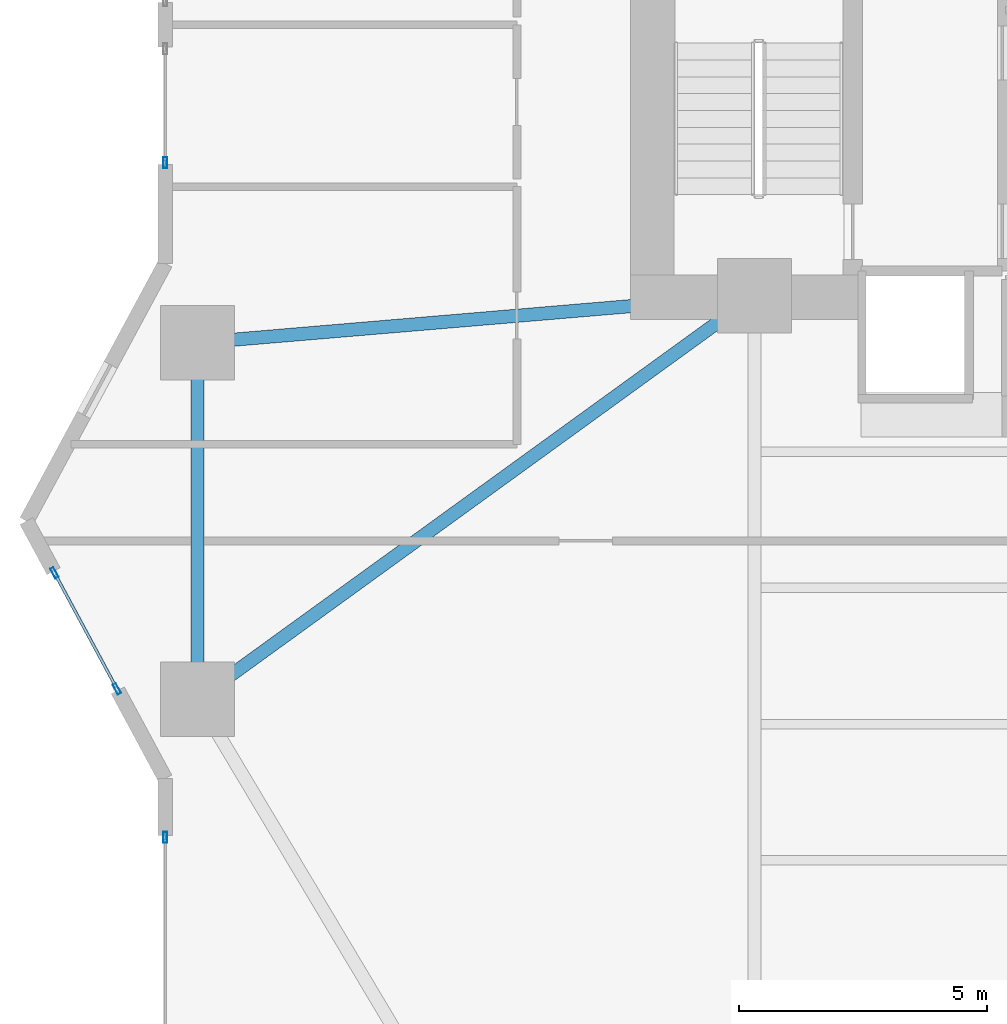
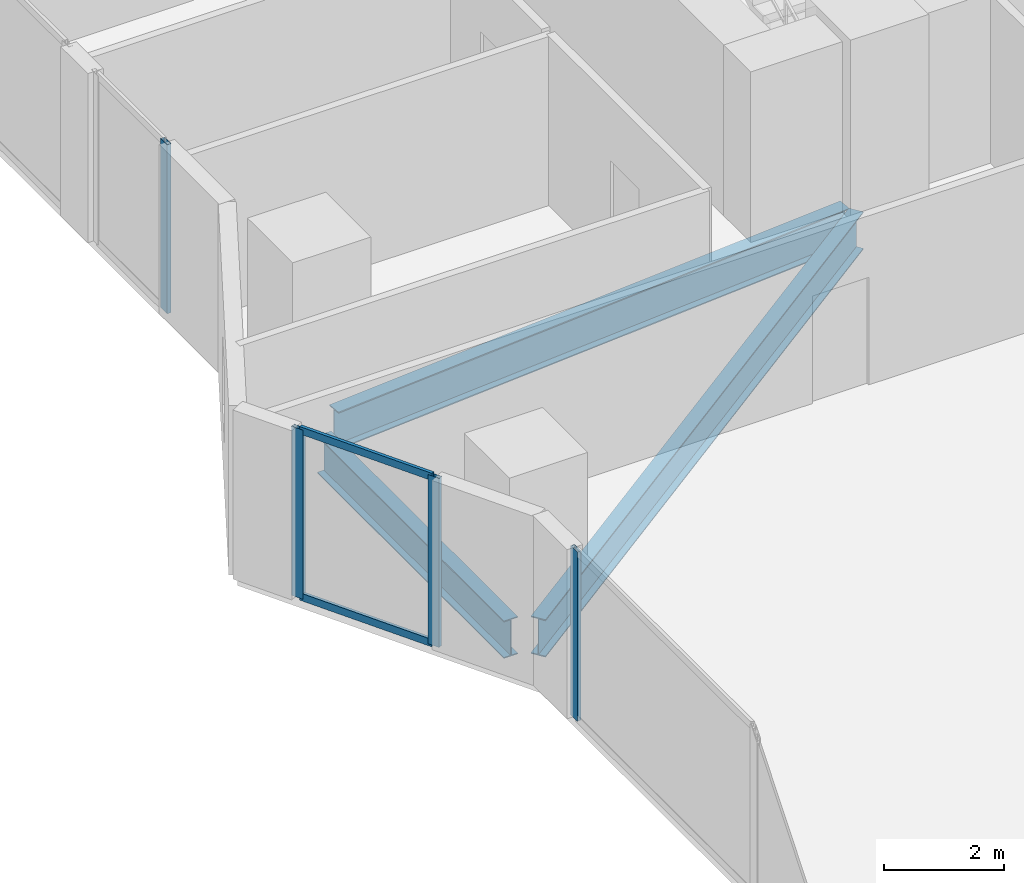
# One storey, part 6 of 30: 6 members, 3 beams, 3 elements without a shape of their own.
"""IFC4 building model written with IfcOpenShell, lengths in metres."""

from ifc_helpers import new_model, si_unit, direction, frame, origin, origin_2d, place, context, subcontext, project, spatial, hollow_rectangle, i_section, extrude, material, layer, layer_set, material_profile, profile_set, type_object, element, aggregate, save


model = new_model("IFC4")

# Units and contexts
model_context = context("Model", 3, precision=1e-05, world=origin(), true_north=direction((0.0, 1.0)))
body_context = subcontext(model_context, "Body", "Model", "MODEL_VIEW")
ifc_project = project(units=[si_unit("LENGTHUNIT", "METRE"), si_unit("AREAUNIT", "SQUARE_METRE"), si_unit("VOLUMEUNIT", "CUBIC_METRE"), si_unit("PLANEANGLEUNIT", "RADIAN"), si_unit("MASSUNIT", "GRAM", prefix="KILO")], contexts=[model_context])

# Site, building, storey
site_placement = place(None, origin())
site = spatial("IfcSite", under=ifc_project, at=site_placement, CompositionType="ELEMENT")
building_placement = place(site_placement, origin())
building = spatial("IfcBuilding", under=site, at=building_placement, Name="Zuhayl Quay Hotel", CompositionType="ELEMENT")
storey_placement = place(building_placement, frame((0.0, 0.0, 82.35009765625)))
storey = spatial("IfcBuildingStorey", under=building, at=storey_placement, Name="L20", CompositionType="ELEMENT", Elevation=82.35009765625)

# Beams
ifc_material_1 = material(Name="Steel ASTM A992 Grade 50", Category="steel")
ifc_material_profile_1 = material_profile(ifc_material_1, i_section(OverallWidth=0.26708984375, OverallDepth=0.761962890625, WebThickness=0.014404296875, FlangeThickness=0.021484375, at=origin_2d()), Name="W30X116")
ifc_profile_set_1 = profile_set([ifc_material_profile_1], Name="Steel ASTM A992 Grade 50")
beam_type = type_object("IfcBeamType", Name="BM_B1_W30X116", PredefinedType="BEAM", material=ifc_profile_set_1)
beam_1_placement = place(storey_placement, frame((-25.050048828125, 3.10009765625, -0.60107421875), z_axis=(0.0, -1.0, 0.0), x_axis=(1.0, 0.0, 0.0)))
element("IfcBeam", 1, at=beam_1_placement, inside=storey, type_object=beam_type, Name="L20 Floor Beam RG_L20_11", PredefinedType="BEAM", context=body_context, shape_type="SweptSolid", body=[
    extrude(i_section(OverallWidth=0.26708984375, OverallDepth=0.761962890625, WebThickness=0.014404296875, FlangeThickness=0.021484375, at=origin_2d()), origin(), (0.0, 0.0, 1.0), 6.2001953125),
])
beam_2_placement = place(storey_placement, frame((-24.64501953125, -3.306640625, -0.60107421875), z_axis=(0.809830244688, 0.586664277751, 0.0), x_axis=(-0.586664277751, 0.809830244688, 0.0)))
element("IfcBeam", 2, at=beam_2_placement, inside=storey, type_object=beam_type, Name="L20 Floor Beam FG_W_L20_1", PredefinedType="BEAM", context=body_context, shape_type="SweptSolid", body=[
    extrude(i_section(OverallWidth=0.26708984375, OverallDepth=0.761962890625, WebThickness=0.014404296875, FlangeThickness=0.021484375, at=origin_2d()), origin(), (0.0, 0.0, 1.0), 12.94189453125),
])
beam_3_placement = place(storey_placement, frame((-24.5517578125, 3.64208984375, -0.60107421875), z_axis=(0.996453145398, 0.084149444594, 0.0), x_axis=(-0.084149444594, 0.996453145398, 0.0)))
element("IfcBeam", 3, at=beam_3_placement, inside=storey, type_object=beam_type, Name="L20 Floor Beam FG_W_L20_2", PredefinedType="BEAM", context=body_context, shape_type="SweptSolid", body=[
    extrude(i_section(OverallWidth=0.26708984375, OverallDepth=0.761962890625, WebThickness=0.014404296875, FlangeThickness=0.021484375, at=origin_2d()), origin(), (0.0, 0.0, 1.0), 10.340087890625),
])

# Curtain wall, member
ifc_material_2 = material(Name="Anodised Aluminium 6063-T6", Category="aluminium")
ifc_layer = layer(ifc_material_2, 0.18994140625, Name="Anodised Aluminium 6063-T6", Category="aluminium")
ifc_layer_set = layer_set([ifc_layer], Name="Anodised Aluminium 6063-T6")
curtain_wall_type = type_object("IfcCurtainWallType", Name="CW_SYS_Z1", PredefinedType="USERDEFINED", material=ifc_layer_set)
curtain_wall_1_placement = place(storey_placement, origin())
curtain_wall_1 = element("IfcCurtainWall", 4, at=curtain_wall_1_placement, inside=storey, type_object=curtain_wall_type, Name="L20 Curtain Wall ENV_L20_E02_CW1", ObjectType="UNITISED CURTAIN WALL", PredefinedType="USERDEFINED")
ifc_material_3 = material(Name="Black-anodised aluminium 6063-T6", Category="aluminium")
ifc_material_profile_2 = material_profile(ifc_material_3, hollow_rectangle(XDim=0.074951171875, YDim=0.219970703125, WallThickness=0.00390625, at=origin_2d()), Name="ALU220X75")
ifc_profile_set_2 = profile_set([ifc_material_profile_2], Name="Black-anodised aluminium 6063-T6")
member_type_1 = type_object("IfcMemberType", Name="MB_CW_MUL_220", PredefinedType="MULLION", material=ifc_profile_set_2)
member_1_placement = place(storey_placement, frame((-25.699951171875, -6.387451171875, 0.0), z_axis=(0.0, 0.0, 1.0), x_axis=(-1.0, 0.0, 0.0)))
member_1 = element("IfcMember", 5, at=member_1_placement, type_object=member_type_1, Name="CW-Z1 mullion 3", PredefinedType="MULLION", context=body_context, shape_type="SweptSolid", body=[
    extrude(hollow_rectangle(XDim=0.074951171875, YDim=0.219970703125, WallThickness=0.00390625, at=origin_2d()), origin(), (0.0, 0.0, 1.0), 3.429931640625),
])
aggregate(curtain_wall_1, [member_1])

# Curtain wall, members
curtain_wall_2_placement = place(storey_placement, origin())
curtain_wall_2 = element("IfcCurtainWall", 6, at=curtain_wall_2_placement, inside=storey, type_object=curtain_wall_type, Name="L20 Curtain Wall ENV_L20_E03_CW1", ObjectType="UNITISED CURTAIN WALL", PredefinedType="USERDEFINED")
member_2_placement = place(storey_placement, frame((-26.67578125, -3.387939453125, 0.0), z_axis=(0.0, 0.0, 1.0), x_axis=(-0.880475795468, -0.474091102632, 0.0)))
member_2 = element("IfcMember", 7, at=member_2_placement, type_object=member_type_1, Name="CW-Z1 mullion 1", PredefinedType="MULLION", context=body_context, shape_type="SweptSolid", body=[
    extrude(hollow_rectangle(XDim=0.074951171875, YDim=0.219970703125, WallThickness=0.00390625, at=origin_2d()), origin(), (0.0, 0.0, 1.0), 3.429931640625),
])
member_3_placement = place(storey_placement, frame((-27.93701171875, -1.04541015625, 0.0), z_axis=(0.0, 0.0, 1.0), x_axis=(-0.880475795468, -0.474091102632, 0.0)))
member_3 = element("IfcMember", 8, at=member_3_placement, type_object=member_type_1, Name="CW-Z1 mullion 2", PredefinedType="MULLION", context=body_context, shape_type="SweptSolid", body=[
    extrude(hollow_rectangle(XDim=0.074951171875, YDim=0.219970703125, WallThickness=0.00390625, at=origin_2d()), origin(), (0.0, 0.0, 1.0), 3.429931640625),
])

# Curtain wall, member
curtain_wall_3_placement = place(storey_placement, origin())
curtain_wall_3 = element("IfcCurtainWall", 9, at=curtain_wall_3_placement, inside=storey, type_object=curtain_wall_type, Name="L20 Curtain Wall ENV_L20_E05_CW1", ObjectType="UNITISED CURTAIN WALL", PredefinedType="USERDEFINED")
member_4_placement = place(storey_placement, frame((-25.699951171875, 7.237548828125, 0.0), z_axis=(0.0, 0.0, 1.0), x_axis=(-1.0, 0.0, 0.0)))
member_4 = element("IfcMember", 10, at=member_4_placement, type_object=member_type_1, Name="CW-Z1 mullion 1", PredefinedType="MULLION", context=body_context, shape_type="SweptSolid", body=[
    extrude(hollow_rectangle(XDim=0.074951171875, YDim=0.219970703125, WallThickness=0.00390625, at=origin_2d()), origin(), (0.0, 0.0, 1.0), 3.429931640625),
])
aggregate(curtain_wall_3, [member_4])

# Member
ifc_material_profile_3 = material_profile(ifc_material_3, hollow_rectangle(XDim=0.06005859375, YDim=0.14990234375, WallThickness=0.00341796875, at=origin_2d()), Name="ALU150X60")
ifc_profile_set_3 = profile_set([ifc_material_profile_3], Name="Black-anodised aluminium 6063-T6")
member_type_2 = type_object("IfcMemberType", Name="MB_CW_TRN_150", PredefinedType="USERDEFINED", material=ifc_profile_set_3)
member_5_placement = place(storey_placement, frame((-26.693603515625, -3.35498046875, 0.02978515625), z_axis=(-0.474054771703, 0.880495356845, 0.0), x_axis=(-0.880495356845, -0.474054771703, 0.0)))
member_5 = element("IfcMember", 11, at=member_5_placement, type_object=member_type_2, Name="CW-Z1 transom 1.1", ObjectType="TRANSOM", PredefinedType="USERDEFINED", context=body_context, shape_type="SweptSolid", body=[
    extrude(hollow_rectangle(XDim=0.06005859375, YDim=0.14990234375, WallThickness=0.00341796875, at=origin_2d()), origin(), (0.0, 0.0, 1.0), 2.585205078125),
])

member_6_placement = place(storey_placement, frame((-26.693603515625, -3.35498046875, 3.39990234375), z_axis=(-0.474054771703, 0.880495356845, 0.0), x_axis=(-0.880495356845, -0.474054771703, 0.0)))
member_6 = element("IfcMember", 12, at=member_6_placement, type_object=member_type_2, Name="CW-Z1 transom 1.2", ObjectType="TRANSOM", PredefinedType="USERDEFINED", context=body_context, shape_type="SweptSolid", body=[
    extrude(hollow_rectangle(XDim=0.06005859375, YDim=0.14990234375, WallThickness=0.00341796875, at=origin_2d()), origin(), (0.0, 0.0, 1.0), 2.585205078125),
])

aggregate(curtain_wall_2, [member_2, member_3, member_5, member_6])

save(model, "model.ifc")
